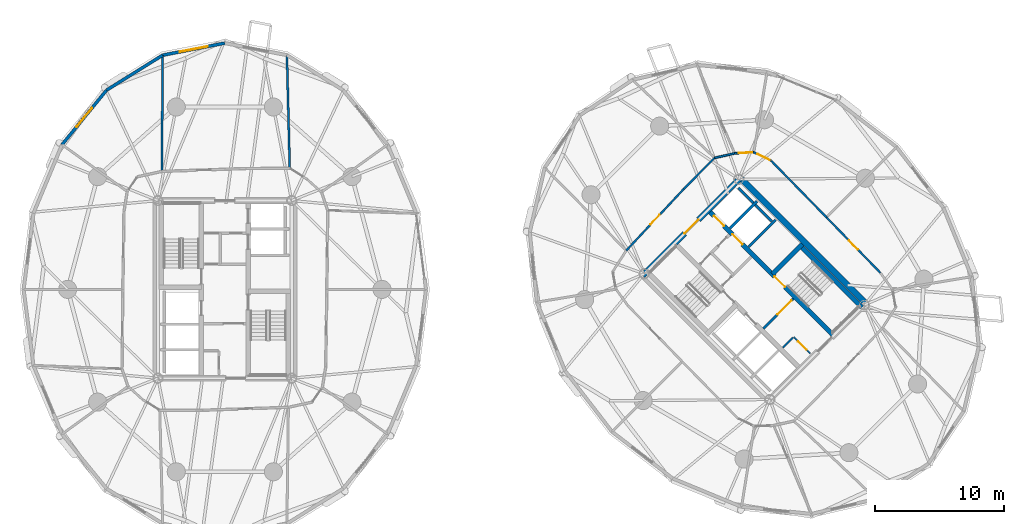
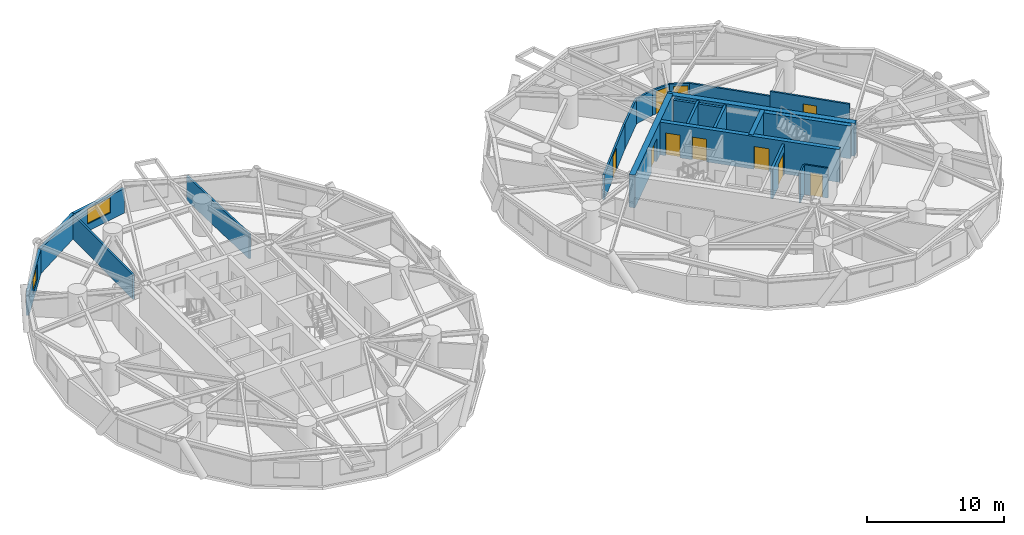
# One storey, part 13 of 17: 24 walls, 10 doors, 2 windows, 12 openings.
"""IFC4 building model written with IfcOpenShell, lengths in metres."""

from ifc_helpers import new_model, si_unit, direction, frame, frame_2d, origin, place, context, subcontext, project, spatial, rectangle, extrude, source, transform, mapped, material, layer, layer_set, type_object, element, fill, save


model = new_model("IFC4")

# Units and contexts
model_context = context("Model", 3, precision=1e-05, world=origin(), true_north=direction((0.0, 1.0)))
body_context = subcontext(model_context, "Body", "Model", "MODEL_VIEW")
ifc_project = project(units=[si_unit("LENGTHUNIT", "METRE"), si_unit("AREAUNIT", "SQUARE_METRE"), si_unit("VOLUMEUNIT", "CUBIC_METRE"), si_unit("PLANEANGLEUNIT", "RADIAN"), si_unit("MASSUNIT", "GRAM", prefix="KILO")], contexts=[model_context])

# Site, building, storey
site_placement = place(None, origin())
site = spatial("IfcSite", under=ifc_project, at=site_placement, CompositionType="ELEMENT")
building_placement = place(site_placement, origin())
building = spatial("IfcBuilding", under=site, at=building_placement, Name="Cununo Teusaquillo Station Towers", CompositionType="ELEMENT")
storey_placement = place(building_placement, frame((0.0, 0.0, 81.7900390625)))
storey = spatial("IfcBuildingStorey", under=building, at=storey_placement, Name="L25", CompositionType="ELEMENT", Elevation=81.7900390625)

# Walls
ifc_material_1 = material(Name="Concrete C50/60", Category="concrete")
ifc_layer_1 = layer(ifc_material_1, 0.199951171875)
ifc_layer_set_1 = layer_set([ifc_layer_1], Name="Concrete C50/60")
wall_type_1 = type_object("IfcWallType", Name="WL-CORE-200", PredefinedType="SHEAR", material=ifc_layer_set_1)
wall_1_placement = place(storey_placement, frame((57.0615234375, 27.781005859375, 0.0), z_axis=(0.0, 0.0, 1.0), x_axis=(0.707106781187, 0.707106781187, 0.0)))
element("IfcWall", 1, at=wall_1_placement, inside=storey, type_object=wall_type_1, Name="L25 Tower B Low-Rise Lift Hoistway South Shear Wall", PredefinedType="SHEAR", context=body_context, shape_type="SweptSolid", body=[
    extrude(rectangle(XDim=2.969970703125, YDim=0.199951171875, at=frame_2d((1.48486328125, 0.0))), origin(), (0.0, 0.0, 1.0), 2.909912109375),
])
wall_2_placement = place(storey_placement, frame((55.615478515625, 29.22705078125, 0.0), z_axis=(0.0, 0.0, 1.0), x_axis=(0.707147878904, 0.70706568108, 0.0)))
element("IfcWall", 2, at=wall_2_placement, inside=storey, type_object=wall_type_1, Name="L25 Tower B Low-Rise Lift Hoistway Divider Shear Wall", PredefinedType="SHEAR", context=body_context, shape_type="SweptSolid", body=[
    extrude(rectangle(XDim=2.97021484375, YDim=0.199951171875, at=frame_2d((1.485107421875, 0.0))), origin(), (0.0, 0.0, 1.0), 2.909912109375),
])
wall_3_placement = place(storey_placement, frame((58.86474609375, 29.75390625, 0.0), z_axis=(0.0, 0.0, 1.0), x_axis=(-0.707174411312, 0.707039144592, 0.0)))
element("IfcWall", 3, at=wall_3_placement, inside=storey, type_object=wall_type_1, Name="L25 Tower B Low-Rise Lift 1 Shaft Rear Shear Wall", PredefinedType="SHEAR", context=body_context, shape_type="SweptSolid", body=[
    extrude(rectangle(XDim=1.804931640625, YDim=0.199951171875, at=frame_2d((0.90234375, 0.0))), origin(), (0.0, 0.0, 1.0), 2.909912109375),
])
wall_4_placement = place(storey_placement, frame((57.418701171875, 31.19970703125, 0.0), z_axis=(0.0, 0.0, 1.0), x_axis=(-0.707032117043, 0.707181437447, 0.0)))
element("IfcWall", 4, at=wall_4_placement, inside=storey, type_object=wall_type_1, Name="L25 Tower B Low-Rise Lift 2 Shaft Rear Shear Wall", PredefinedType="SHEAR", context=body_context, shape_type="SweptSolid", body=[
    extrude(rectangle(XDim=1.635009765625, YDim=0.199951171875, at=frame_2d((0.8173828125, 0.0))), origin(), (0.0, 0.0, 1.0), 2.909912109375),
])

# Wall, openings, doors
ifc_material_2 = material(Name="Concrete C50/60", Category="concrete")
ifc_layer_2 = layer(ifc_material_2, 0.35009765625)
ifc_layer_set_2 = layer_set([ifc_layer_2], Name="Concrete C50/60")
wall_type_2 = type_object("IfcWallType", Name="WL-CORE-350", PredefinedType="SHEAR", material=ifc_layer_set_2)
wall_5_placement = place(storey_placement, frame((63.644775390625, 20.922119140625, 0.0), z_axis=(0.0, 0.0, 1.0), x_axis=(-0.707106781187, 0.707106781187, 0.0)))
wall_5 = element("IfcWall", 5, at=wall_5_placement, inside=storey, type_object=wall_type_2, Name="L25 Tower B Core Shear Wall IE", PredefinedType="SHEAR", context=body_context, shape_type="SweptSolid", body=[
    extrude(rectangle(XDim=13.75, YDim=0.35009765625, at=frame_2d((6.875, 0.0))), origin(), (0.0, 0.0, 1.0), 2.909912109375),
])
shared_shape_1 = source(origin(), body_context, "Body", "SweptSolid", [
    extrude(rectangle(XDim=1.10009765625, YDim=2.014892578125, at=frame_2d((0.550048828125, 1.00732421875))), frame((0.0, 0.18505859375, 0.0), z_axis=(0.0, -1.0, 0.0), x_axis=(1.0, 0.0, 0.0)), (0.0, 0.0, 1.0), 0.3701171875),
])
opening_1_placement = place(wall_5_placement, frame((10.0, 0.0, 0.0)))
opening_1 = element("IfcOpeningElement", 6, at=opening_1_placement, cuts=wall_5, Name="Opening LD-01", PredefinedType="OPENING", context=body_context, shape_type="MappedRepresentation", body=[
    mapped(shared_shape_1, transform((0.0, 0.0, 0.0), x_axis=(1.0, 0.0, 0.0), y_axis=(0.0, 1.0, 0.0), z_axis=(0.0, 0.0, 1.0), scale=1.0)),
])
opening_2_placement = place(wall_5_placement, frame((12.0, 0.0, 0.0)))
opening_2 = element("IfcOpeningElement", 7, at=opening_2_placement, cuts=wall_5, Name="Opening LD-01", PredefinedType="OPENING", context=body_context, shape_type="MappedRepresentation", body=[
    mapped(shared_shape_1, transform((0.0, 0.0, 0.0), x_axis=(1.0, 0.0, 0.0), y_axis=(0.0, 1.0, 0.0), z_axis=(0.0, 0.0, 1.0), scale=1.0)),
])
shared_shape_2 = source(origin(), body_context, "Body", "SweptSolid", [
    extrude(rectangle(XDim=1.14990234375, YDim=2.02001953125, at=frame_2d((0.574951171875, 1.010009765625))), frame((0.0, 0.18505859375, 0.0), z_axis=(0.0, -1.0, 0.0), x_axis=(1.0, 0.0, 0.0)), (0.0, 0.0, 1.0), 0.3701171875),
])
opening_3_placement = place(wall_5_placement, frame((5.304931640625, 0.0, 0.0)))
opening_3 = element("IfcOpeningElement", 8, at=opening_3_placement, cuts=wall_5, Name="Opening D-ST1", PredefinedType="OPENING", context=body_context, shape_type="MappedRepresentation", body=[
    mapped(shared_shape_2, transform((0.0, 0.0, 0.0), x_axis=(1.0, 0.0, 0.0), y_axis=(0.0, 1.0, 0.0), z_axis=(0.0, 0.0, 1.0), scale=1.0)),
])
ifc_material_3 = material(Name="Galvanised fire-rated hollow steel door assembly", Category="steel")
door_type_1 = type_object("IfcDoorType", Name="DR-LIFT-1100", OperationType="SLIDING_TO_LEFT", PredefinedType="DOOR", material=ifc_material_3)
shared_shape_3 = source(origin(), body_context, "Body", "SweptSolid", [
    extrude(rectangle(XDim=1.10009765625, YDim=2.014892578125, at=frame_2d((0.550048828125, 1.00732421875))), frame((0.0, 0.02490234375, 0.0), z_axis=(0.0, -1.0, 0.0), x_axis=(1.0, 0.0, 0.0)), (0.0, 0.0, 1.0), 0.050048828125),
])
door_1_placement = place(opening_1_placement, origin())
door_1 = element("IfcDoor", 9, at=door_1_placement, inside=storey, type_object=door_type_1, Name="L25 Lift PL-T2-L1 Sliding Landing Door", OperationType="SLIDING_TO_LEFT", OverallHeight=2.014892578125, OverallWidth=1.10009765625, PredefinedType="DOOR", context=body_context, shape_type="MappedRepresentation", body=[
    mapped(shared_shape_3, transform((0.0, 0.0, 0.0), x_axis=(1.0, 0.0, 0.0), y_axis=(0.0, 1.0, 0.0), z_axis=(0.0, 0.0, 1.0), scale=1.0)),
])
fill(opening_1, door_1)
door_2_placement = place(opening_2_placement, origin())
door_2 = element("IfcDoor", 10, at=door_2_placement, inside=storey, type_object=door_type_1, Name="L25 Lift PL-T2-L2 Sliding Landing Door", OperationType="SLIDING_TO_RIGHT", OverallHeight=2.014892578125, OverallWidth=1.10009765625, PredefinedType="DOOR", context=body_context, shape_type="MappedRepresentation", body=[
    mapped(shared_shape_3, transform((0.0, 0.0, 0.0), x_axis=(1.0, 0.0, 0.0), y_axis=(0.0, 1.0, 0.0), z_axis=(0.0, 0.0, 1.0), scale=1.0)),
])
fill(opening_2, door_2)
ifc_material_4 = material(Name="Galvanised fire-rated hollow steel door assembly", Category="steel")
door_type_2 = type_object("IfcDoorType", Name="DR-STAIR-1150", OperationType="NOTDEFINED", PredefinedType="DOOR", material=ifc_material_4)
shared_shape_4 = source(origin(), body_context, "Body", "SweptSolid", [
    extrude(rectangle(XDim=1.14990234375, YDim=2.02001953125, at=frame_2d((0.574951171875, 1.010009765625))), frame((0.0, 0.02490234375, 0.0), z_axis=(0.0, -1.0, 0.0), x_axis=(1.0, 0.0, 0.0)), (0.0, 0.0, 1.0), 0.050048828125),
])
door_3_placement = place(opening_3_placement, origin())
door_3 = element("IfcDoor", 11, at=door_3_placement, inside=storey, type_object=door_type_2, Name="L25 Tower B Exit Stair 2 Fire Door", OperationType="SINGLE_SWING_RIGHT", OverallHeight=2.02001953125, OverallWidth=1.14990234375, PredefinedType="DOOR", context=body_context, shape_type="MappedRepresentation", body=[
    mapped(shared_shape_4, transform((0.0, 0.0, 0.0), x_axis=(1.0, 0.0, 0.0), y_axis=(0.0, 1.0, 0.0), z_axis=(0.0, 0.0, 1.0), scale=1.0)),
])
fill(opening_3, door_3)

# Walls
wall_6_placement = place(storey_placement, frame((65.82958984375, 23.10693359375, 0.0), z_axis=(0.0, 0.0, 1.0), x_axis=(-0.707088616009, 0.707124945897, 0.0)))
element("IfcWall", 12, at=wall_6_placement, inside=storey, type_object=wall_type_2, Name="L25 Tower B Core Shear Wall ST2E", PredefinedType="SHEAR", context=body_context, shape_type="SweptSolid", body=[
    extrude(rectangle(XDim=6.72021484375, YDim=0.35009765625, at=frame_2d((3.360107421875, 0.0))), origin(), (0.0, 0.0, 1.0), 2.909912109375),
])
wall_7_placement = place(storey_placement, frame((58.89306640625, 25.673828125, 0.0), z_axis=(0.0, 0.0, 1.0), x_axis=(0.707106781187, 0.707106781187, 0.0)))
element("IfcWall", 13, at=wall_7_placement, inside=storey, type_object=wall_type_2, Name="L25 Tower B Core Shear Wall ST2N", PredefinedType="SHEAR", context=body_context, shape_type="SweptSolid", body=[
    extrude(rectangle(XDim=3.284912109375, YDim=0.35009765625, at=frame_2d((1.642578125, 0.0))), origin(), (0.0, 0.0, 1.0), 2.909912109375),
])
ifc_material_5 = material(Name="Concrete C60/75", Category="concrete")
ifc_layer_3 = layer(ifc_material_5, 0.449951171875)
ifc_layer_set_3 = layer_set([ifc_layer_3], Name="Concrete C60/75")
wall_type_3 = type_object("IfcWallType", Name="WL-CORE-450", PredefinedType="SHEAR", material=ifc_layer_set_3)
wall_8_placement = place(storey_placement, frame((66.303466796875, 23.2626953125, 0.0), z_axis=(0.0, 0.0, 1.0), x_axis=(-0.707106781187, 0.707106781187, 0.0)))
element("IfcWall", 14, at=wall_8_placement, inside=storey, type_object=wall_type_3, Name="L25 Tower B Core Shear Wall E", PredefinedType="SHEAR", context=body_context, shape_type="SweptSolid", body=[
    extrude(rectangle(XDim=14.19970703125, YDim=0.449951171875, at=frame_2d((7.099853515625, 0.0))), origin(), (0.0, 0.0, 1.0), 2.909912109375),
])

# Wall, opening, door
wall_9_placement = place(storey_placement, frame((48.855712890625, 25.578369140625, 0.0), z_axis=(0.0, 0.0, 1.0), x_axis=(0.707106781187, 0.707106781187, 0.0)))
wall_9 = element("IfcWall", 15, at=wall_9_placement, inside=storey, type_object=wall_type_3, Name="L25 Tower B Core Shear Wall N", PredefinedType="SHEAR", context=body_context, shape_type="SweptSolid", body=[
    extrude(rectangle(XDim=10.69970703125, YDim=0.449951171875, at=frame_2d((5.349853515625, 0.0))), origin(), (0.0, 0.0, 1.0), 2.909912109375),
])
shared_shape_5 = source(origin(), body_context, "Body", "SweptSolid", [
    extrude(rectangle(XDim=1.5, YDim=2.02001953125, at=frame_2d((0.75, 1.010009765625))), frame((0.0, 0.23486328125, 0.0), z_axis=(0.0, -1.0, 0.0), x_axis=(1.0, 0.0, 0.0)), (0.0, 0.0, 1.0), 0.469970703125),
])
opening_4_placement = place(wall_9_placement, frame((4.60009765625, 0.0, 0.0)))
opening_4 = element("IfcOpeningElement", 16, at=opening_4_placement, cuts=wall_9, Name="Opening D-LB1", PredefinedType="OPENING", context=body_context, shape_type="MappedRepresentation", body=[
    mapped(shared_shape_5, transform((0.0, 0.0, 0.0), x_axis=(1.0, 0.0, 0.0), y_axis=(0.0, 1.0, 0.0), z_axis=(0.0, 0.0, 1.0), scale=1.0)),
])
ifc_material_6 = material(Name="Galvanised fire-rated hollow steel door assembly", Category="steel")
door_type_3 = type_object("IfcDoorType", Name="DR-LOBBY-1500", OperationType="DOUBLE_DOOR_SINGLE_SWING", PredefinedType="DOOR", material=ifc_material_6)
shared_shape_6 = source(origin(), body_context, "Body", "SweptSolid", [
    extrude(rectangle(XDim=1.5, YDim=2.02001953125, at=frame_2d((0.75, 1.010009765625))), frame((0.0, 0.02490234375, 0.0), z_axis=(0.0, -1.0, 0.0), x_axis=(1.0, 0.0, 0.0)), (0.0, 0.0, 1.0), 0.050048828125),
])
door_4_placement = place(opening_4_placement, origin())
door_4 = element("IfcDoor", 17, at=door_4_placement, inside=storey, type_object=door_type_3, Name="L25 Tower B North Core Lift Lobby Door", OperationType="DOUBLE_DOOR_SINGLE_SWING", OverallHeight=2.02001953125, OverallWidth=1.5, PredefinedType="DOOR", context=body_context, shape_type="MappedRepresentation", body=[
    mapped(shared_shape_6, transform((0.0, 0.0, 0.0), x_axis=(1.0, 0.0, 0.0), y_axis=(0.0, 1.0, 0.0), z_axis=(0.0, 0.0, 1.0), scale=1.0)),
])
fill(opening_4, door_4)

# Wall, opening, window
ifc_material_7 = material(Name="Precast concrete C40/50", Category="concrete")
ifc_layer_4 = layer(ifc_material_7, 0.239990234375)
ifc_layer_set_4 = layer_set([ifc_layer_4], Name="Precast concrete C40/50")
wall_type_4 = type_object("IfcWallType", Name="WL-EXT-240", PredefinedType="SOLIDWALL", material=ifc_layer_set_4)
wall_10_placement = place(storey_placement, frame((11.685302734375, 42.63671875, 0.0), z_axis=(0.0, 0.0, 1.0), x_axis=(0.981723785992, 0.190311344954, 0.0)))
wall_10 = element("IfcWall", 18, at=wall_10_placement, inside=storey, type_object=wall_type_4, Name="L25 Tower A Exterior Facade Wall C05", PredefinedType="SOLIDWALL", context=body_context, shape_type="SweptSolid", body=[
    extrude(rectangle(XDim=4.904296875, YDim=0.239990234375, at=frame_2d((2.4521484375, 0.0))), origin(), (0.0, 0.0, 1.0), 2.178955078125),
])
shared_shape_7 = source(origin(), body_context, "Body", "SweptSolid", [
    extrude(rectangle(XDim=2.199951171875, YDim=1.35009765625, at=frame_2d((1.10009765625, 0.675048828125))), frame((0.0, 0.1298828125, 0.0), z_axis=(0.0, -1.0, 0.0), x_axis=(1.0, 0.0, 0.0)), (0.0, 0.0, 1.0), 0.260009765625),
])
opening_5_placement = place(wall_10_placement, frame((1.35205078125, 0.0, 0.64990234375)))
opening_5 = element("IfcOpeningElement", 19, at=opening_5_placement, cuts=wall_10, Name="Opening WN-01", PredefinedType="OPENING", context=body_context, shape_type="MappedRepresentation", body=[
    mapped(shared_shape_7, transform((0.0, 0.0, 0.0), x_axis=(1.0, 0.0, 0.0), y_axis=(0.0, 1.0, 0.0), z_axis=(0.0, 0.0, 1.0), scale=1.0)),
])
ifc_material_8 = material(Name="Ceramic-fritted dark low-E double glazing", Category="glass")
window_type_1 = type_object("IfcWindowType", Name="WIN-FRIT-2200", PartitioningType="DOUBLE_PANEL_VERTICAL", PredefinedType="WINDOW", material=ifc_material_8)
shared_shape_8 = source(origin(), body_context, "Body", "SweptSolid", [
    extrude(rectangle(XDim=2.199951171875, YDim=1.35009765625, at=frame_2d((1.10009765625, 0.675048828125))), frame((0.0, 0.030029296875, 0.0), z_axis=(0.0, -1.0, 0.0), x_axis=(1.0, 0.0, 0.0)), (0.0, 0.0, 1.0), 0.06005859375),
])
window_1_placement = place(opening_5_placement, origin())
window_1 = element("IfcWindow", 20, at=window_1_placement, inside=storey, type_object=window_type_1, Name="L25 Tower A Facade Window C05", OverallHeight=1.35009765625, OverallWidth=2.199951171875, PartitioningType="DOUBLE_PANEL_VERTICAL", PredefinedType="WINDOW", context=body_context, shape_type="MappedRepresentation", body=[
    mapped(shared_shape_8, transform((0.0, 0.0, 0.0), x_axis=(1.0, 0.0, 0.0), y_axis=(0.0, 1.0, 0.0), z_axis=(0.0, 0.0, 1.0), scale=1.0)),
])
fill(opening_5, window_1)

# Wall
wall_11_placement = place(storey_placement, frame((7.341796875, 39.927978515625, 0.0), z_axis=(0.0, 0.0, 1.0), x_axis=(0.848520380187, 0.529162701263, 0.0)))
element("IfcWall", 21, at=wall_11_placement, inside=storey, type_object=wall_type_4, Name="L25 Tower A Exterior Facade Wall C06", PredefinedType="SOLIDWALL", context=body_context, shape_type="SweptSolid", body=[
    extrude(rectangle(XDim=5.118896484375, YDim=0.239990234375, at=frame_2d((2.5595703125, 0.0))), origin(), (0.0, 0.0, 1.0), 2.178955078125),
])

# Wall, opening, window
wall_12_placement = place(storey_placement, frame((3.894775390625, 35.708984375, 0.0), z_axis=(0.0, 0.0, 1.0), x_axis=(0.632700781152, 0.77439635945, 0.0)))
wall_12 = element("IfcWall", 22, at=wall_12_placement, inside=storey, type_object=wall_type_4, Name="L25 Tower A Exterior Facade Wall C07", PredefinedType="SOLIDWALL", context=body_context, shape_type="SweptSolid", body=[
    extrude(rectangle(XDim=5.447998046875, YDim=0.239990234375, at=frame_2d((2.72412109375, 0.0))), origin(), (0.0, 0.0, 1.0), 2.178955078125),
])
shared_shape_9 = source(origin(), body_context, "Body", "SweptSolid", [
    extrude(rectangle(XDim=1.89990234375, YDim=1.35009765625, at=frame_2d((0.949951171875, 0.675048828125))), frame((0.0, 0.1298828125, 0.0), z_axis=(0.0, -1.0, 0.0), x_axis=(1.0, 0.0, 0.0)), (0.0, 0.0, 1.0), 0.260009765625),
])
opening_6_placement = place(wall_12_placement, frame((1.77392578125, 0.0, 0.64990234375)))
opening_6 = element("IfcOpeningElement", 23, at=opening_6_placement, cuts=wall_12, Name="Opening WN-02", PredefinedType="OPENING", context=body_context, shape_type="MappedRepresentation", body=[
    mapped(shared_shape_9, transform((0.0, 0.0, 0.0), x_axis=(1.0, 0.0, 0.0), y_axis=(0.0, 1.0, 0.0), z_axis=(0.0, 0.0, 1.0), scale=1.0)),
])
ifc_material_9 = material(Name="Operable acoustic tinted low-E double glazing", Category="glass")
window_type_2 = type_object("IfcWindowType", Name="WIN-OPER-1900", PartitioningType="DOUBLE_PANEL_VERTICAL", PredefinedType="WINDOW", material=ifc_material_9)
shared_shape_10 = source(origin(), body_context, "Body", "SweptSolid", [
    extrude(rectangle(XDim=1.89990234375, YDim=1.35009765625, at=frame_2d((0.949951171875, 0.675048828125))), frame((0.0, 0.030029296875, 0.0), z_axis=(0.0, -1.0, 0.0), x_axis=(1.0, 0.0, 0.0)), (0.0, 0.0, 1.0), 0.06005859375),
])
window_2_placement = place(opening_6_placement, origin())
window_2 = element("IfcWindow", 24, at=window_2_placement, inside=storey, type_object=window_type_2, Name="L25 Tower A Facade Window C07", OverallHeight=1.35009765625, OverallWidth=1.89990234375, PartitioningType="DOUBLE_PANEL_VERTICAL", PredefinedType="WINDOW", context=body_context, shape_type="MappedRepresentation", body=[
    mapped(shared_shape_10, transform((0.0, 0.0, 0.0), x_axis=(1.0, 0.0, 0.0), y_axis=(0.0, 1.0, 0.0), z_axis=(0.0, 0.0, 1.0), scale=1.0)),
])
fill(opening_6, window_2)

# Wall, opening, door
ifc_material_10 = material(Name="Fire-rated gypsum plasterboard partition assembly", Category="gypsum")
ifc_layer_5 = layer(ifc_material_10, 0.125)
ifc_layer_set_5 = layer_set([ifc_layer_5], Name="Fire-rated gypsum plasterboard partition assembly")
wall_type_5 = type_object("IfcWallType", Name="WL-PART-125", PredefinedType="PARTITIONING", material=ifc_layer_set_5)
wall_13_placement = place(storey_placement, frame((61.834716796875, 19.529052734375, 0.0), z_axis=(0.0, 0.0, 1.0), x_axis=(-0.707174592913, 0.707038962956, 0.0)))
wall_13 = element("IfcWall", 25, at=wall_13_placement, inside=storey, type_object=wall_type_5, Name="L25 Tower B South-West Compact Store East Wall", PredefinedType="PARTITIONING", context=body_context, shape_type="SweptSolid", body=[
    extrude(rectangle(XDim=1.800048828125, YDim=0.125, at=frame_2d((0.89990234375, 0.0))), origin(), (0.0, 0.0, 1.0), 2.655029296875),
])
shared_shape_11 = source(origin(), body_context, "Body", "SweptSolid", [
    extrude(rectangle(XDim=0.89990234375, YDim=2.0048828125, at=frame_2d((0.449951171875, 1.00244140625))), frame((0.0, 0.072509765625, 0.0), z_axis=(0.0, -1.0, 0.0), x_axis=(1.0, 0.0, 0.0)), (0.0, 0.0, 1.0), 0.14501953125),
])
opening_7_placement = place(wall_13_placement, frame((0.419921875, 0.0, 0.0)))
opening_7 = element("IfcOpeningElement", 26, at=opening_7_placement, cuts=wall_13, Name="Opening D-SR1", PredefinedType="OPENING", context=body_context, shape_type="MappedRepresentation", body=[
    mapped(shared_shape_11, transform((0.0, 0.0, 0.0), x_axis=(1.0, 0.0, 0.0), y_axis=(0.0, 1.0, 0.0), z_axis=(0.0, 0.0, 1.0), scale=1.0)),
])
ifc_material_11 = material(Name="Galvanised fire-rated hollow steel door assembly", Category="steel")
door_type_4 = type_object("IfcDoorType", Name="DR-STORE-900", OperationType="NOTDEFINED", PredefinedType="DOOR", material=ifc_material_11)
shared_shape_12 = source(origin(), body_context, "Body", "SweptSolid", [
    extrude(rectangle(XDim=0.89990234375, YDim=2.0048828125, at=frame_2d((0.449951171875, 1.00244140625))), frame((0.0, 0.02490234375, 0.0), z_axis=(0.0, -1.0, 0.0), x_axis=(1.0, 0.0, 0.0)), (0.0, 0.0, 1.0), 0.050048828125),
])
door_5_placement = place(opening_7_placement, origin())
door_5 = element("IfcDoor", 27, at=door_5_placement, inside=storey, type_object=door_type_4, Name="L25 Tower B Core Electrical & Comms Store Door", OperationType="SINGLE_SWING_LEFT", OverallHeight=2.0048828125, OverallWidth=0.89990234375, PredefinedType="DOOR", context=body_context, shape_type="MappedRepresentation", body=[
    mapped(shared_shape_12, transform((0.0, 0.0, 0.0), x_axis=(1.0, 0.0, 0.0), y_axis=(0.0, 1.0, 0.0), z_axis=(0.0, 0.0, 1.0), scale=1.0)),
])
fill(opening_7, door_5)

# Walls
wall_14_placement = place(storey_placement, frame((59.713134765625, 19.99560546875, 0.0), z_axis=(0.0, 0.0, 1.0), x_axis=(0.707217726, 0.706995818963, 0.0)))
element("IfcWall", 28, at=wall_14_placement, inside=storey, type_object=wall_type_5, Name="L25 Tower B South-West Compact Store North Wall", PredefinedType="PARTITIONING", context=body_context, shape_type="SweptSolid", body=[
    extrude(rectangle(XDim=1.10009765625, YDim=0.125, at=frame_2d((0.550048828125, 0.0))), origin(), (0.0, 0.0, 1.0), 2.655029296875),
])
ifc_material_12 = material(Name="Fire-rated gypsum plasterboard partition assembly", Category="gypsum")
ifc_layer_6 = layer(ifc_material_12, 0.14990234375)
ifc_layer_set_6 = layer_set([ifc_layer_6], Name="Fire-rated gypsum plasterboard partition assembly")
wall_type_6 = type_object("IfcWallType", Name="WL-PART-150", PredefinedType="PARTITIONING", material=ifc_layer_set_6)
wall_15_placement = place(storey_placement, frame((63.086181640625, 30.086181640625, 0.0), z_axis=(0.0, 0.0, 1.0), x_axis=(-0.699075897379, 0.715047473741, 0.0)))
element("IfcWall", 29, at=wall_15_placement, inside=storey, type_object=wall_type_6, Name="L25 Tower B Corridor Ring Wall C00", PredefinedType="PARTITIONING", context=body_context, shape_type="SweptSolid", body=[
    extrude(rectangle(XDim=6.1142578125, YDim=0.14990234375, at=frame_2d((3.05712890625, 0.0))), origin(), (0.0, 0.0, 1.0), 2.224853515625),
])

# Wall, opening, door
wall_16_placement = place(storey_placement, frame((58.811767578125, 34.458251953125, 0.0), z_axis=(0.0, 0.0, 1.0), x_axis=(-0.899559490277, 0.436798264021, 0.0)))
wall_16 = element("IfcWall", 30, at=wall_16_placement, inside=storey, type_object=wall_type_6, Name="L25 Tower B Corridor Ring Wall C01", PredefinedType="PARTITIONING", context=body_context, shape_type="SweptSolid", body=[
    extrude(rectangle(XDim=1.4951171875, YDim=0.14990234375, at=frame_2d((0.74755859375, 0.0))), origin(), (0.0, 0.0, 1.0), 2.224853515625),
])
shared_shape_13 = source(origin(), body_context, "Body", "SweptSolid", [
    extrude(rectangle(XDim=1.050048828125, YDim=2.014892578125, at=frame_2d((0.52490234375, 1.00732421875))), frame((0.0, 0.0849609375, 0.0), z_axis=(0.0, -1.0, 0.0), x_axis=(1.0, 0.0, 0.0)), (0.0, 0.0, 1.0), 0.169921875),
])
opening_8_placement = place(wall_16_placement, frame((0.1201171875, 0.0, 0.0)))
opening_8 = element("IfcOpeningElement", 31, at=opening_8_placement, cuts=wall_16, Name="Opening D-SU1", PredefinedType="OPENING", context=body_context, shape_type="MappedRepresentation", body=[
    mapped(shared_shape_13, transform((0.0, 0.0, 0.0), x_axis=(1.0, 0.0, 0.0), y_axis=(0.0, 1.0, 0.0), z_axis=(0.0, 0.0, 1.0), scale=1.0)),
])
ifc_material_13 = material(Name="Acoustic solid-core hardwood leaf assembly", Category="wood")
door_type_5 = type_object("IfcDoorType", Name="DR-SUITE-1050", OperationType="NOTDEFINED", PredefinedType="DOOR", material=ifc_material_13)
shared_shape_14 = source(origin(), body_context, "Body", "SweptSolid", [
    extrude(rectangle(XDim=1.050048828125, YDim=2.014892578125, at=frame_2d((0.52490234375, 1.00732421875))), frame((0.0, 0.02490234375, 0.0), z_axis=(0.0, -1.0, 0.0), x_axis=(1.0, 0.0, 0.0)), (0.0, 0.0, 1.0), 0.050048828125),
])
door_6_placement = place(opening_8_placement, origin())
door_6 = element("IfcDoor", 32, at=door_6_placement, inside=storey, type_object=door_type_5, Name="L25 Tower B Senior Partners Law Chambers Entrance Door", OperationType="SINGLE_SWING_RIGHT", OverallHeight=2.014892578125, OverallWidth=1.050048828125, PredefinedType="DOOR", context=body_context, shape_type="MappedRepresentation", body=[
    mapped(shared_shape_14, transform((0.0, 0.0, 0.0), x_axis=(1.0, 0.0, 0.0), y_axis=(0.0, 1.0, 0.0), z_axis=(0.0, 0.0, 1.0), scale=1.0)),
])
fill(opening_8, door_6)

wall_17_placement = place(storey_placement, frame((57.466796875, 35.111328125, 0.0), z_axis=(0.0, 0.0, 1.0), x_axis=(-0.998691757323, -0.051134859488, 0.0)))
wall_17 = element("IfcWall", 33, at=wall_17_placement, inside=storey, type_object=wall_type_6, Name="L25 Tower B Corridor Ring Wall C02", PredefinedType="PARTITIONING", context=body_context, shape_type="SweptSolid", body=[
    extrude(rectangle(XDim=1.48486328125, YDim=0.14990234375, at=frame_2d((0.742431640625, 0.0))), origin(), (0.0, 0.0, 1.0), 2.224853515625),
])
opening_9_placement = place(wall_17_placement, frame((0.1201171875, 0.0, 0.0)))
opening_9 = element("IfcOpeningElement", 34, at=opening_9_placement, cuts=wall_17, Name="Opening D-SU1", PredefinedType="OPENING", context=body_context, shape_type="MappedRepresentation", body=[
    mapped(shared_shape_13, transform((0.0, 0.0, 0.0), x_axis=(1.0, 0.0, 0.0), y_axis=(0.0, 1.0, 0.0), z_axis=(0.0, 0.0, 1.0), scale=1.0)),
])
door_7_placement = place(opening_9_placement, origin())
door_7 = element("IfcDoor", 35, at=door_7_placement, inside=storey, type_object=door_type_5, Name="L25 Tower B Legal Arbitration Hearing Room Entrance Door", OperationType="SINGLE_SWING_LEFT", OverallHeight=2.014892578125, OverallWidth=1.050048828125, PredefinedType="DOOR", context=body_context, shape_type="MappedRepresentation", body=[
    mapped(shared_shape_14, transform((0.0, 0.0, 0.0), x_axis=(1.0, 0.0, 0.0), y_axis=(0.0, 1.0, 0.0), z_axis=(0.0, 0.0, 1.0), scale=1.0)),
])
fill(opening_9, door_7)

# Walls
wall_18_placement = place(storey_placement, frame((55.98388671875, 35.035400390625, 0.0), z_axis=(0.0, 0.0, 1.0), x_axis=(-0.975290305708, -0.22092718165, 0.0)))
element("IfcWall", 36, at=wall_18_placement, inside=storey, type_object=wall_type_6, Name="L25 Tower B Corridor Ring Wall C03", PredefinedType="PARTITIONING", context=body_context, shape_type="SweptSolid", body=[
    extrude(rectangle(XDim=1.596923828125, YDim=0.14990234375, at=frame_2d((0.79833984375, 0.0))), origin(), (0.0, 0.0, 1.0), 2.224853515625),
])
wall_19_placement = place(storey_placement, frame((54.426513671875, 34.6826171875, 0.0), z_axis=(0.0, 0.0, 1.0), x_axis=(-0.704178989986, -0.710022499687, 0.0)))
element("IfcWall", 37, at=wall_19_placement, inside=storey, type_object=wall_type_6, Name="L25 Tower B Corridor Ring Wall C04", PredefinedType="PARTITIONING", context=body_context, shape_type="SweptSolid", body=[
    extrude(rectangle(XDim=3.38427734375, YDim=0.14990234375, at=frame_2d((1.692138671875, 0.0))), origin(), (0.0, 0.0, 1.0), 2.224853515625),
])

# Wall, opening, door
wall_20_placement = place(storey_placement, frame((52.04345703125, 32.27978515625, 0.0), z_axis=(0.0, 0.0, 1.0), x_axis=(-0.682606081633, -0.730786519661, 0.0)))
wall_20 = element("IfcWall", 38, at=wall_20_placement, inside=storey, type_object=wall_type_6, Name="L25 Tower B Corridor Ring Wall C05", PredefinedType="PARTITIONING", context=body_context, shape_type="SweptSolid", body=[
    extrude(rectangle(XDim=6.526611328125, YDim=0.14990234375, at=frame_2d((3.26318359375, 0.0))), origin(), (0.0, 0.0, 1.0), 2.224853515625),
])
opening_10_placement = place(wall_20_placement, frame((2.73828125, 0.0, 0.0)))
opening_10 = element("IfcOpeningElement", 39, at=opening_10_placement, cuts=wall_20, Name="Opening D-SU1", PredefinedType="OPENING", context=body_context, shape_type="MappedRepresentation", body=[
    mapped(shared_shape_13, transform((0.0, 0.0, 0.0), x_axis=(1.0, 0.0, 0.0), y_axis=(0.0, 1.0, 0.0), z_axis=(0.0, 0.0, 1.0), scale=1.0)),
])
door_8_placement = place(opening_10_placement, origin())
door_8 = element("IfcDoor", 40, at=door_8_placement, inside=storey, type_object=door_type_5, Name="L25 Tower B Associate Open-Plan Workplace Entrance Door", OperationType="SINGLE_SWING_LEFT", OverallHeight=2.014892578125, OverallWidth=1.050048828125, PredefinedType="DOOR", context=body_context, shape_type="MappedRepresentation", body=[
    mapped(shared_shape_14, transform((0.0, 0.0, 0.0), x_axis=(1.0, 0.0, 0.0), y_axis=(0.0, 1.0, 0.0), z_axis=(0.0, 0.0, 1.0), scale=1.0)),
])
fill(opening_10, door_8)

wall_21_placement = place(storey_placement, frame((67.270263671875, 25.77978515625, 0.0), z_axis=(0.0, 0.0, 1.0), x_axis=(-0.696847842907, 0.717218992942, 0.0)))
wall_21 = element("IfcWall", 41, at=wall_21_placement, inside=storey, type_object=wall_type_6, Name="L25 Tower B Corridor Ring Wall C19", PredefinedType="PARTITIONING", context=body_context, shape_type="SweptSolid", body=[
    extrude(rectangle(XDim=6.00439453125, YDim=0.14990234375, at=frame_2d((3.002197265625, 0.0))), origin(), (0.0, 0.0, 1.0), 2.655029296875),
])
shared_shape_15 = source(origin(), body_context, "Body", "SweptSolid", [
    extrude(rectangle(XDim=1.0, YDim=2.014892578125, at=frame_2d((0.5, 1.00732421875))), frame((0.0, 0.0849609375, 0.0), z_axis=(0.0, -1.0, 0.0), x_axis=(1.0, 0.0, 0.0)), (0.0, 0.0, 1.0), 0.169921875),
])
opening_11_placement = place(wall_21_placement, frame((2.502197265625, 0.0, 0.0)))
opening_11 = element("IfcOpeningElement", 42, at=opening_11_placement, cuts=wall_21, Name="Opening D-AC1", PredefinedType="OPENING", context=body_context, shape_type="MappedRepresentation", body=[
    mapped(shared_shape_15, transform((0.0, 0.0, 0.0), x_axis=(1.0, 0.0, 0.0), y_axis=(0.0, 1.0, 0.0), z_axis=(0.0, 0.0, 1.0), scale=1.0)),
])
ifc_material_14 = material(Name="Acoustic solid-core hardwood leaf assembly", Category="wood")
door_type_6 = type_object("IfcDoorType", Name="DR-ACC-1000", OperationType="NOTDEFINED", PredefinedType="DOOR", material=ifc_material_14)
shared_shape_16 = source(origin(), body_context, "Body", "SweptSolid", [
    extrude(rectangle(XDim=1.0, YDim=2.014892578125, at=frame_2d((0.5, 1.00732421875))), frame((0.0, 0.02490234375, 0.0), z_axis=(0.0, -1.0, 0.0), x_axis=(1.0, 0.0, 0.0)), (0.0, 0.0, 1.0), 0.050048828125),
])
door_9_placement = place(opening_11_placement, origin())
door_9 = element("IfcDoor", 43, at=door_9_placement, inside=storey, type_object=door_type_6, Name="L25 Tower B Public Accessible Restroom WC Entrance Door", OperationType="SINGLE_SWING_LEFT", OverallHeight=2.014892578125, OverallWidth=1.0, PredefinedType="DOOR", context=body_context, shape_type="MappedRepresentation", body=[
    mapped(shared_shape_16, transform((0.0, 0.0, 0.0), x_axis=(1.0, 0.0, 0.0), y_axis=(0.0, 1.0, 0.0), z_axis=(0.0, 0.0, 1.0), scale=1.0)),
])
fill(opening_11, door_9)

# Walls
ifc_material_15 = material(Name="Fire-rated gypsum plasterboard partition assembly", Category="gypsum")
ifc_layer_7 = layer(ifc_material_15, 0.159912109375)
ifc_layer_set_7 = layer_set([ifc_layer_7], Name="Fire-rated gypsum plasterboard partition assembly")
wall_type_7 = type_object("IfcWallType", Name="WL-PART-160", PredefinedType="PARTITIONING", material=ifc_layer_set_7)
wall_22_placement = place(storey_placement, frame((21.52685546875, 33.873291015625, 0.0), z_axis=(0.0, 0.0, 1.0), x_axis=(-0.024952442794, 0.999688639327, 0.0)))
element("IfcWall", 44, at=wall_22_placement, inside=storey, type_object=wall_type_7, Name="L25 Tower A Radial Suite Partition R03", PredefinedType="PARTITIONING", context=body_context, shape_type="SweptSolid", body=[
    extrude(rectangle(XDim=8.7470703125, YDim=0.159912109375, at=frame_2d((4.37353515625, 0.0))), origin(), (0.0, 0.0, 1.0), 2.178955078125),
])
wall_23_placement = place(storey_placement, frame((11.619873046875, 33.63720703125, 0.0), z_axis=(0.0, 0.0, 1.0), x_axis=(0.007965167065, 0.999968277554, 0.0)))
element("IfcWall", 45, at=wall_23_placement, inside=storey, type_object=wall_type_7, Name="L25 Tower A Radial Suite Partition R04", PredefinedType="PARTITIONING", context=body_context, shape_type="SweptSolid", body=[
    extrude(rectangle(XDim=8.980712890625, YDim=0.159912109375, at=frame_2d((4.490234375, 0.0))), origin(), (0.0, 0.0, 1.0), 2.178955078125),
])

# Wall, opening, door
ifc_material_16 = material(Name="Fire-rated gypsum plasterboard partition assembly", Category="gypsum")
ifc_layer_8 = layer(ifc_material_16, 0.199951171875)
ifc_layer_set_8 = layer_set([ifc_layer_8], Name="Fire-rated gypsum plasterboard partition assembly")
wall_type_8 = type_object("IfcWallType", Name="WL-PART-200", PredefinedType="PARTITIONING", material=ifc_layer_set_8)
wall_24_placement = place(storey_placement, frame((58.214111328125, 21.466552734375, 0.0), z_axis=(0.0, 0.0, 1.0), x_axis=(0.707106781187, 0.707106781187, 0.0)))
wall_24 = element("IfcWall", 46, at=wall_24_placement, inside=storey, type_object=wall_type_8, Name="L25 Tower B Firefighting Lift Lobby South Fire Wall", PredefinedType="PARTITIONING", context=body_context, shape_type="SweptSolid", body=[
    extrude(rectangle(XDim=3.280029296875, YDim=0.199951171875, at=frame_2d((1.64013671875, 0.0))), origin(), (0.0, 0.0, 1.0), 2.655029296875),
])
shared_shape_17 = source(origin(), body_context, "Body", "SweptSolid", [
    extrude(rectangle(XDim=1.5, YDim=2.02001953125, at=frame_2d((0.75, 1.010009765625))), frame((0.0, 0.10986328125, 0.0), z_axis=(0.0, -1.0, 0.0), x_axis=(1.0, 0.0, 0.0)), (0.0, 0.0, 1.0), 0.219970703125),
])
opening_12_placement = place(wall_24_placement, frame((1.550048828125, 0.0, 0.0)))
opening_12 = element("IfcOpeningElement", 47, at=opening_12_placement, cuts=wall_24, Name="Opening D-LB1", PredefinedType="OPENING", context=body_context, shape_type="MappedRepresentation", body=[
    mapped(shared_shape_17, transform((0.0, 0.0, 0.0), x_axis=(1.0, 0.0, 0.0), y_axis=(0.0, 1.0, 0.0), z_axis=(0.0, 0.0, 1.0), scale=1.0)),
])
door_10_placement = place(opening_12_placement, origin())
door_10 = element("IfcDoor", 48, at=door_10_placement, inside=storey, type_object=door_type_3, Name="L25 Tower B Firefighting Lift Lobby South Fire Door", OperationType="DOUBLE_DOOR_SINGLE_SWING", OverallHeight=2.02001953125, OverallWidth=1.5, PredefinedType="DOOR", context=body_context, shape_type="MappedRepresentation", body=[
    mapped(shared_shape_6, transform((0.0, 0.0, 0.0), x_axis=(1.0, 0.0, 0.0), y_axis=(0.0, 1.0, 0.0), z_axis=(0.0, 0.0, 1.0), scale=1.0)),
])
fill(opening_12, door_10)

save(model, "model.ifc")
